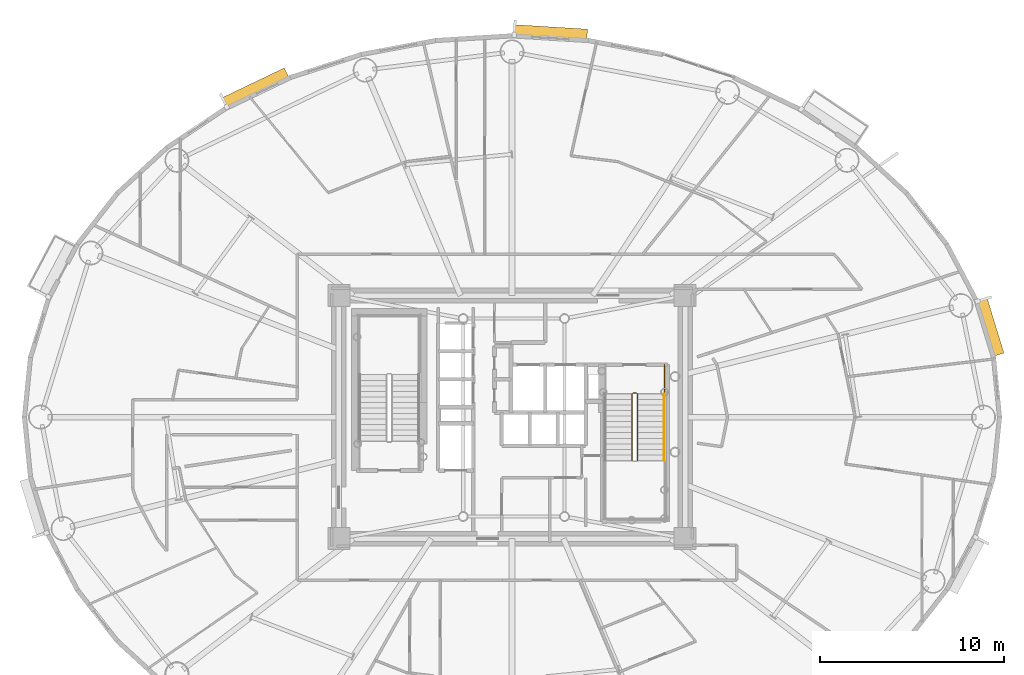
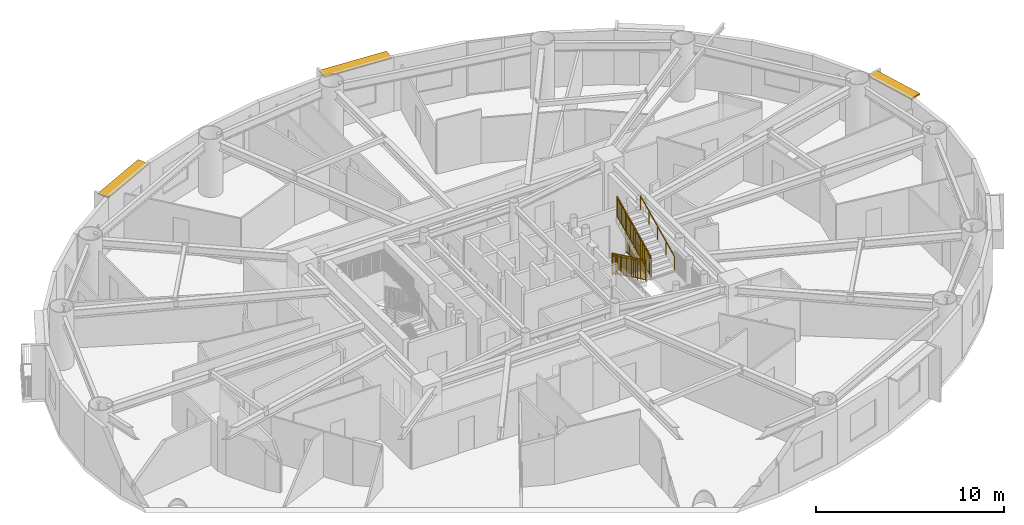
# One storey, part 20 of 21: 5 railings, 3 shading devices.
"""IFC4 building model written with IfcOpenShell, lengths in metres."""

from ifc_helpers import new_model, si_unit, direction, frame, origin, origin_2d, place, context, subcontext, project, spatial, rectangle, extrude, source, transform, mapped, material, layer, layer_set, type_object, element, save


model = new_model("IFC4")

# Units and contexts
model_context = context("Model", 3, precision=1e-05, world=origin(), true_north=direction((0.0, 1.0)))
body_context = subcontext(model_context, "Body", "Model", "MODEL_VIEW")
ifc_project = project(units=[si_unit("LENGTHUNIT", "METRE"), si_unit("AREAUNIT", "SQUARE_METRE"), si_unit("VOLUMEUNIT", "CUBIC_METRE"), si_unit("PLANEANGLEUNIT", "RADIAN"), si_unit("MASSUNIT", "GRAM", prefix="KILO")], contexts=[model_context])

# Site, building, storey
site_placement = place(None, origin())
site = spatial("IfcSite", under=ifc_project, at=site_placement, CompositionType="ELEMENT")
building_placement = place(site_placement, origin())
building = spatial("IfcBuilding", under=site, at=building_placement, Name="Linh Dai School and Residence Tower", CompositionType="ELEMENT")
storey_placement = place(building_placement, frame((0.0, 0.0, 156.14990234375)))
storey = spatial("IfcBuildingStorey", under=building, at=storey_placement, Name="L37", CompositionType="ELEMENT", Elevation=156.14990234375)

# Shading devices
ifc_material_1 = material(Name="Terracotta Ceramic Sunshade", Category="masonry")
ifc_layer = layer(ifc_material_1, 0.10009765625)
ifc_layer_set = layer_set([ifc_layer], Name="Terracotta Ceramic Sunshade")
shading_device_type = type_object("IfcShadingDeviceType", Name="SHD-TC-650", PredefinedType="USERDEFINED", material=ifc_layer_set)
shared_shape_1 = source(origin(), body_context, "Body", "SweptSolid", [
    extrude(rectangle(XDim=3.168212890625, YDim=0.64990234375, at=origin_2d()), origin(), (0.0, 0.0, 1.0), 0.10009765625),
])
shading_device_1_placement = place(storey_placement, frame((61.938720703125, 31.894775390625, 3.380126953125), z_axis=(0.0, 0.0, 1.0), x_axis=(0.293121969301, -0.956075055167, 0.0)))
element("IfcShadingDevice", 1, at=shading_device_1_placement, inside=storey, type_object=shading_device_type, Name="L37 Terracotta Horizontal Sunshade Band 02", ObjectType="SUNSHADE", PredefinedType="USERDEFINED", context=body_context, shape_type="MappedRepresentation", body=[
    mapped(shared_shape_1, transform((0.0, 0.0, 0.0), x_axis=(1.0, 0.0, 0.0), y_axis=(0.0, 1.0, 0.0), z_axis=(0.0, 0.0, 1.0), scale=1.0)),
])
shared_shape_2 = source(origin(), body_context, "Body", "SweptSolid", [
    extrude(rectangle(XDim=3.987548828125, YDim=0.64990234375, at=origin_2d()), origin(), (0.0, 0.0, 1.0), 0.10009765625),
])
shading_device_2_placement = place(storey_placement, frame((38.09033203125, 47.86181640625, 3.380126953125), z_axis=(0.0, 0.0, 1.0), x_axis=(0.99810632076, -0.061512376467, 0.0)))
element("IfcShadingDevice", 2, at=shading_device_2_placement, inside=storey, type_object=shading_device_type, Name="L37 Terracotta Horizontal Sunshade Band 10", ObjectType="SUNSHADE", PredefinedType="USERDEFINED", context=body_context, shape_type="MappedRepresentation", body=[
    mapped(shared_shape_2, transform((0.0, 0.0, 0.0), x_axis=(1.0, 0.0, 0.0), y_axis=(0.0, 1.0, 0.0), z_axis=(0.0, 0.0, 1.0), scale=1.0)),
])
shared_shape_3 = source(origin(), body_context, "Body", "SweptSolid", [
    extrude(rectangle(XDim=3.773193359375, YDim=0.64990234375, at=origin_2d()), origin(), (0.0, 0.0, 1.0), 0.10009765625),
])
shading_device_3_placement = place(storey_placement, frame((22.0751953125, 44.850341796875, 3.380126953125), z_axis=(0.0, 0.0, 1.0), x_axis=(0.901569306779, 0.432634701653, 0.0)))
element("IfcShadingDevice", 3, at=shading_device_3_placement, inside=storey, type_object=shading_device_type, Name="L37 Terracotta Horizontal Sunshade Band 14", ObjectType="SUNSHADE", PredefinedType="USERDEFINED", context=body_context, shape_type="MappedRepresentation", body=[
    mapped(shared_shape_3, transform((0.0, 0.0, 0.0), x_axis=(1.0, 0.0, 0.0), y_axis=(0.0, 1.0, 0.0), z_axis=(0.0, 0.0, 1.0), scale=1.0)),
])

# Railings
ifc_material_2 = material(Name="Structural Steel S355JR", Category="steel")
railing_type_1 = type_object("IfcRailingType", Name="RL-ST-GUARD-1400", PredefinedType="GUARDRAIL", material=ifc_material_2)
shared_shape_4 = source(origin(), body_context, "Body", "SweptSolid", [
    extrude(rectangle(XDim=0.048095703125, YDim=0.048095703125, at=origin_2d()), frame((0.0, 0.0, 1.3759765625), z_axis=(0.0, 0.901262522062, 0.433273431364), x_axis=(-1.0, 0.0, 0.0)), (0.0, 0.0, 1.0), 3.994384765625),
    extrude(rectangle(XDim=0.048095703125, YDim=0.048095703125, at=origin_2d()), frame((0.0, 0.0, 0.10009765625), z_axis=(0.0, 0.901262522062, 0.433273431364), x_axis=(-1.0, 0.0, 0.0)), (0.0, 0.0, 1.0), 3.994384765625),
    extrude(rectangle(XDim=0.030029296875, YDim=0.030029296875, at=origin_2d()), frame((0.0, 0.0, 1.239990234375), z_axis=(0.0, 0.901262522062, 0.433273431364), x_axis=(-1.0, 0.0, 0.0)), (0.0, 0.0, 1.0), 3.994384765625),
    extrude(rectangle(XDim=0.02001953125, YDim=0.02001953125, at=origin_2d()), frame((0.0, 0.087890625, 0.142333984375)), (0.0, 0.0, 1.0), 1.251708984375),
    extrude(rectangle(XDim=0.02001953125, YDim=0.02001953125, at=origin_2d()), frame((0.0, 0.175537109375, 0.1845703125)), (0.0, 0.0, 1.0), 1.251708984375),
    extrude(rectangle(XDim=0.02001953125, YDim=0.02001953125, at=origin_2d()), frame((0.0, 0.263427734375, 0.226806640625)), (0.0, 0.0, 1.0), 1.251708984375),
    extrude(rectangle(XDim=0.02001953125, YDim=0.02001953125, at=origin_2d()), frame((0.0, 0.351318359375, 0.26904296875)), (0.0, 0.0, 1.0), 1.251708984375),
    extrude(rectangle(XDim=0.02001953125, YDim=0.02001953125, at=origin_2d()), frame((0.0, 0.43896484375, 0.311279296875)), (0.0, 0.0, 1.0), 1.251708984375),
    extrude(rectangle(XDim=0.02001953125, YDim=0.02001953125, at=origin_2d()), frame((0.0, 0.52685546875, 0.353271484375)), (0.0, 0.0, 1.0), 1.251708984375),
    extrude(rectangle(XDim=0.02001953125, YDim=0.02001953125, at=origin_2d()), frame((0.0, 0.61474609375, 0.3955078125)), (0.0, 0.0, 1.0), 1.251708984375),
    extrude(rectangle(XDim=0.02001953125, YDim=0.02001953125, at=origin_2d()), frame((0.0, 0.702392578125, 0.437744140625)), (0.0, 0.0, 1.0), 1.251708984375),
    extrude(rectangle(XDim=0.02001953125, YDim=0.02001953125, at=origin_2d()), frame((0.0, 0.790283203125, 0.47998046875)), (0.0, 0.0, 1.0), 1.251708984375),
    extrude(rectangle(XDim=0.02001953125, YDim=0.02001953125, at=origin_2d()), frame((0.0, 0.9658203125, 0.564453125)), (0.0, 0.0, 1.0), 1.251708984375),
    extrude(rectangle(XDim=0.02001953125, YDim=0.02001953125, at=origin_2d()), frame((0.0, 1.0537109375, 0.606689453125)), (0.0, 0.0, 1.0), 1.251708984375),
    extrude(rectangle(XDim=0.02001953125, YDim=0.02001953125, at=origin_2d()), frame((0.0, 1.1416015625, 0.64892578125)), (0.0, 0.0, 1.0), 1.251708984375),
    extrude(rectangle(XDim=0.02001953125, YDim=0.02001953125, at=origin_2d()), frame((0.0, 1.229248046875, 0.691162109375)), (0.0, 0.0, 1.0), 1.251708984375),
    extrude(rectangle(XDim=0.02001953125, YDim=0.02001953125, at=origin_2d()), frame((0.0, 1.317138671875, 0.7333984375)), (0.0, 0.0, 1.0), 1.251708984375),
    extrude(rectangle(XDim=0.02001953125, YDim=0.02001953125, at=origin_2d()), frame((0.0, 1.405029296875, 0.775390625)), (0.0, 0.0, 1.0), 1.251708984375),
    extrude(rectangle(XDim=0.02001953125, YDim=0.02001953125, at=origin_2d()), frame((0.0, 1.49267578125, 0.817626953125)), (0.0, 0.0, 1.0), 1.251708984375),
    extrude(rectangle(XDim=0.02001953125, YDim=0.02001953125, at=origin_2d()), frame((0.0, 1.58056640625, 0.85986328125)), (0.0, 0.0, 1.0), 1.251708984375),
    extrude(rectangle(XDim=0.02001953125, YDim=0.02001953125, at=origin_2d()), frame((0.0, 1.66845703125, 0.902099609375)), (0.0, 0.0, 1.0), 1.251708984375),
    extrude(rectangle(XDim=0.02001953125, YDim=0.02001953125, at=origin_2d()), frame((0.0, 1.756103515625, 0.9443359375)), (0.0, 0.0, 1.0), 1.251708984375),
    extrude(rectangle(XDim=0.02001953125, YDim=0.02001953125, at=origin_2d()), frame((0.0, 1.843994140625, 0.986572265625)), (0.0, 0.0, 1.0), 1.251708984375),
    extrude(rectangle(XDim=0.02001953125, YDim=0.02001953125, at=origin_2d()), frame((0.0, 1.931640625, 1.02880859375)), (0.0, 0.0, 1.0), 1.251708984375),
    extrude(rectangle(XDim=0.02001953125, YDim=0.02001953125, at=origin_2d()), frame((0.0, 2.01953125, 1.071044921875)), (0.0, 0.0, 1.0), 1.251708984375),
    extrude(rectangle(XDim=0.02001953125, YDim=0.02001953125, at=origin_2d()), frame((0.0, 2.107421875, 1.11328125)), (0.0, 0.0, 1.0), 1.251708984375),
    extrude(rectangle(XDim=0.02001953125, YDim=0.02001953125, at=origin_2d()), frame((0.0, 2.195068359375, 1.155517578125)), (0.0, 0.0, 1.0), 1.251708984375),
    extrude(rectangle(XDim=0.02001953125, YDim=0.02001953125, at=origin_2d()), frame((0.0, 2.282958984375, 1.197509765625)), (0.0, 0.0, 1.0), 1.251708984375),
    extrude(rectangle(XDim=0.02001953125, YDim=0.02001953125, at=origin_2d()), frame((0.0, 2.370849609375, 1.23974609375)), (0.0, 0.0, 1.0), 1.251708984375),
    extrude(rectangle(XDim=0.02001953125, YDim=0.02001953125, at=origin_2d()), frame((0.0, 2.45849609375, 1.281982421875)), (0.0, 0.0, 1.0), 1.251708984375),
    extrude(rectangle(XDim=0.02001953125, YDim=0.02001953125, at=origin_2d()), frame((0.0, 2.54638671875, 1.32421875)), (0.0, 0.0, 1.0), 1.251708984375),
    extrude(rectangle(XDim=0.02001953125, YDim=0.02001953125, at=origin_2d()), frame((0.0, 2.63427734375, 1.366455078125)), (0.0, 0.0, 1.0), 1.251708984375),
    extrude(rectangle(XDim=0.02001953125, YDim=0.02001953125, at=origin_2d()), frame((0.0, 2.809814453125, 1.450927734375)), (0.0, 0.0, 1.0), 1.251708984375),
    extrude(rectangle(XDim=0.02001953125, YDim=0.02001953125, at=origin_2d()), frame((0.0, 2.897705078125, 1.4931640625)), (0.0, 0.0, 1.0), 1.251708984375),
    extrude(rectangle(XDim=0.02001953125, YDim=0.02001953125, at=origin_2d()), frame((0.0, 2.9853515625, 1.535400390625)), (0.0, 0.0, 1.0), 1.251708984375),
    extrude(rectangle(XDim=0.02001953125, YDim=0.02001953125, at=origin_2d()), frame((0.0, 3.0732421875, 1.57763671875)), (0.0, 0.0, 1.0), 1.251708984375),
    extrude(rectangle(XDim=0.02001953125, YDim=0.02001953125, at=origin_2d()), frame((0.0, 3.1611328125, 1.61962890625)), (0.0, 0.0, 1.0), 1.251708984375),
    extrude(rectangle(XDim=0.02001953125, YDim=0.02001953125, at=origin_2d()), frame((0.0, 3.248779296875, 1.661865234375)), (0.0, 0.0, 1.0), 1.251708984375),
    extrude(rectangle(XDim=0.02001953125, YDim=0.02001953125, at=origin_2d()), frame((0.0, 3.336669921875, 1.7041015625)), (0.0, 0.0, 1.0), 1.251708984375),
    extrude(rectangle(XDim=0.02001953125, YDim=0.02001953125, at=origin_2d()), frame((0.0, 3.424560546875, 1.746337890625)), (0.0, 0.0, 1.0), 1.251708984375),
    extrude(rectangle(XDim=0.02001953125, YDim=0.02001953125, at=origin_2d()), frame((0.0, 3.51220703125, 1.78857421875)), (0.0, 0.0, 1.0), 1.251708984375),
    extrude(rectangle(XDim=0.0419921875, YDim=0.0419921875, at=origin_2d()), origin(), (0.0, 0.0, 1.0), 1.3759765625),
    extrude(rectangle(XDim=0.0419921875, YDim=0.0419921875, at=origin_2d()), frame((0.0, 0.89990234375, 0.4326171875)), (0.0, 0.0, 1.0), 1.3759765625),
    extrude(rectangle(XDim=0.0419921875, YDim=0.0419921875, at=origin_2d()), frame((0.0, 1.800048828125, 0.865234375)), (0.0, 0.0, 1.0), 1.3759765625),
    extrude(rectangle(XDim=0.0419921875, YDim=0.0419921875, at=origin_2d()), frame((0.0, 2.7001953125, 1.298095703125)), (0.0, 0.0, 1.0), 1.3759765625),
    extrude(rectangle(XDim=0.0419921875, YDim=0.0419921875, at=origin_2d()), frame((0.0, 3.60009765625, 1.730712890625)), (0.0, 0.0, 1.0), 1.3759765625),
])
railing_1_placement = place(storey_placement, frame((42.820068359375, 24.64990234375, 2.019287109375)))
element("IfcRailing", 4, at=railing_1_placement, inside=storey, type_object=railing_type_1, Name="L37 ST2 stair guard 6", PredefinedType="GUARDRAIL", context=body_context, shape_type="MappedRepresentation", body=[
    mapped(shared_shape_4, transform((0.0, 0.0, 0.0), x_axis=(1.0, 0.0, 0.0), y_axis=(0.0, 1.0, 0.0), z_axis=(0.0, 0.0, 1.0), scale=1.0)),
])
shared_shape_5 = source(origin(), body_context, "Body", "SweptSolid", [
    extrude(rectangle(XDim=0.048095703125, YDim=0.048095703125, at=origin_2d()), frame((0.0, 0.0, 1.3759765625), z_axis=(0.0, -0.901262522062, 0.433273431364), x_axis=(1.0, 0.0, 0.0)), (0.0, 0.0, 1.0), 3.994384765625),
    extrude(rectangle(XDim=0.048095703125, YDim=0.048095703125, at=origin_2d()), frame((0.0, 0.0, 0.10009765625), z_axis=(0.0, -0.901262522062, 0.433273431364), x_axis=(1.0, 0.0, 0.0)), (0.0, 0.0, 1.0), 3.994384765625),
    extrude(rectangle(XDim=0.030029296875, YDim=0.030029296875, at=origin_2d()), frame((0.0, 0.0, 1.239990234375), z_axis=(0.0, -0.901262522062, 0.433273431364), x_axis=(1.0, 0.0, 0.0)), (0.0, 0.0, 1.0), 3.994384765625),
    extrude(rectangle(XDim=0.02001953125, YDim=0.02001953125, at=origin_2d()), frame((0.0, -0.087890625, 0.142333984375)), (0.0, 0.0, 1.0), 1.251708984375),
    extrude(rectangle(XDim=0.02001953125, YDim=0.02001953125, at=origin_2d()), frame((0.0, -0.175537109375, 0.1845703125)), (0.0, 0.0, 1.0), 1.251708984375),
    extrude(rectangle(XDim=0.02001953125, YDim=0.02001953125, at=origin_2d()), frame((0.0, -0.263427734375, 0.226806640625)), (0.0, 0.0, 1.0), 1.251708984375),
    extrude(rectangle(XDim=0.02001953125, YDim=0.02001953125, at=origin_2d()), frame((0.0, -0.351318359375, 0.26904296875)), (0.0, 0.0, 1.0), 1.251708984375),
    extrude(rectangle(XDim=0.02001953125, YDim=0.02001953125, at=origin_2d()), frame((0.0, -0.43896484375, 0.311279296875)), (0.0, 0.0, 1.0), 1.251708984375),
    extrude(rectangle(XDim=0.02001953125, YDim=0.02001953125, at=origin_2d()), frame((0.0, -0.52685546875, 0.353271484375)), (0.0, 0.0, 1.0), 1.251708984375),
    extrude(rectangle(XDim=0.02001953125, YDim=0.02001953125, at=origin_2d()), frame((0.0, -0.61474609375, 0.3955078125)), (0.0, 0.0, 1.0), 1.251708984375),
    extrude(rectangle(XDim=0.02001953125, YDim=0.02001953125, at=origin_2d()), frame((0.0, -0.702392578125, 0.437744140625)), (0.0, 0.0, 1.0), 1.251708984375),
    extrude(rectangle(XDim=0.02001953125, YDim=0.02001953125, at=origin_2d()), frame((0.0, -0.790283203125, 0.47998046875)), (0.0, 0.0, 1.0), 1.251708984375),
    extrude(rectangle(XDim=0.02001953125, YDim=0.02001953125, at=origin_2d()), frame((0.0, -0.9658203125, 0.564453125)), (0.0, 0.0, 1.0), 1.251708984375),
    extrude(rectangle(XDim=0.02001953125, YDim=0.02001953125, at=origin_2d()), frame((0.0, -1.0537109375, 0.606689453125)), (0.0, 0.0, 1.0), 1.251708984375),
    extrude(rectangle(XDim=0.02001953125, YDim=0.02001953125, at=origin_2d()), frame((0.0, -1.1416015625, 0.64892578125)), (0.0, 0.0, 1.0), 1.251708984375),
    extrude(rectangle(XDim=0.02001953125, YDim=0.02001953125, at=origin_2d()), frame((0.0, -1.229248046875, 0.691162109375)), (0.0, 0.0, 1.0), 1.251708984375),
    extrude(rectangle(XDim=0.02001953125, YDim=0.02001953125, at=origin_2d()), frame((0.0, -1.317138671875, 0.7333984375)), (0.0, 0.0, 1.0), 1.251708984375),
    extrude(rectangle(XDim=0.02001953125, YDim=0.02001953125, at=origin_2d()), frame((0.0, -1.405029296875, 0.775390625)), (0.0, 0.0, 1.0), 1.251708984375),
    extrude(rectangle(XDim=0.02001953125, YDim=0.02001953125, at=origin_2d()), frame((0.0, -1.49267578125, 0.817626953125)), (0.0, 0.0, 1.0), 1.251708984375),
    extrude(rectangle(XDim=0.02001953125, YDim=0.02001953125, at=origin_2d()), frame((0.0, -1.58056640625, 0.85986328125)), (0.0, 0.0, 1.0), 1.251708984375),
    extrude(rectangle(XDim=0.02001953125, YDim=0.02001953125, at=origin_2d()), frame((0.0, -1.66845703125, 0.902099609375)), (0.0, 0.0, 1.0), 1.251708984375),
    extrude(rectangle(XDim=0.02001953125, YDim=0.02001953125, at=origin_2d()), frame((0.0, -1.756103515625, 0.9443359375)), (0.0, 0.0, 1.0), 1.251708984375),
    extrude(rectangle(XDim=0.02001953125, YDim=0.02001953125, at=origin_2d()), frame((0.0, -1.843994140625, 0.986572265625)), (0.0, 0.0, 1.0), 1.251708984375),
    extrude(rectangle(XDim=0.02001953125, YDim=0.02001953125, at=origin_2d()), frame((0.0, -1.931640625, 1.02880859375)), (0.0, 0.0, 1.0), 1.251708984375),
    extrude(rectangle(XDim=0.02001953125, YDim=0.02001953125, at=origin_2d()), frame((0.0, -2.01953125, 1.071044921875)), (0.0, 0.0, 1.0), 1.251708984375),
    extrude(rectangle(XDim=0.02001953125, YDim=0.02001953125, at=origin_2d()), frame((0.0, -2.107421875, 1.11328125)), (0.0, 0.0, 1.0), 1.251708984375),
    extrude(rectangle(XDim=0.02001953125, YDim=0.02001953125, at=origin_2d()), frame((0.0, -2.195068359375, 1.155517578125)), (0.0, 0.0, 1.0), 1.251708984375),
    extrude(rectangle(XDim=0.02001953125, YDim=0.02001953125, at=origin_2d()), frame((0.0, -2.282958984375, 1.197509765625)), (0.0, 0.0, 1.0), 1.251708984375),
    extrude(rectangle(XDim=0.02001953125, YDim=0.02001953125, at=origin_2d()), frame((0.0, -2.370849609375, 1.23974609375)), (0.0, 0.0, 1.0), 1.251708984375),
    extrude(rectangle(XDim=0.02001953125, YDim=0.02001953125, at=origin_2d()), frame((0.0, -2.45849609375, 1.281982421875)), (0.0, 0.0, 1.0), 1.251708984375),
    extrude(rectangle(XDim=0.02001953125, YDim=0.02001953125, at=origin_2d()), frame((0.0, -2.54638671875, 1.32421875)), (0.0, 0.0, 1.0), 1.251708984375),
    extrude(rectangle(XDim=0.02001953125, YDim=0.02001953125, at=origin_2d()), frame((0.0, -2.63427734375, 1.366455078125)), (0.0, 0.0, 1.0), 1.251708984375),
    extrude(rectangle(XDim=0.02001953125, YDim=0.02001953125, at=origin_2d()), frame((0.0, -2.809814453125, 1.450927734375)), (0.0, 0.0, 1.0), 1.251708984375),
    extrude(rectangle(XDim=0.02001953125, YDim=0.02001953125, at=origin_2d()), frame((0.0, -2.897705078125, 1.4931640625)), (0.0, 0.0, 1.0), 1.251708984375),
    extrude(rectangle(XDim=0.02001953125, YDim=0.02001953125, at=origin_2d()), frame((0.0, -2.9853515625, 1.535400390625)), (0.0, 0.0, 1.0), 1.251708984375),
    extrude(rectangle(XDim=0.02001953125, YDim=0.02001953125, at=origin_2d()), frame((0.0, -3.0732421875, 1.57763671875)), (0.0, 0.0, 1.0), 1.251708984375),
    extrude(rectangle(XDim=0.02001953125, YDim=0.02001953125, at=origin_2d()), frame((0.0, -3.1611328125, 1.61962890625)), (0.0, 0.0, 1.0), 1.251708984375),
    extrude(rectangle(XDim=0.02001953125, YDim=0.02001953125, at=origin_2d()), frame((0.0, -3.248779296875, 1.661865234375)), (0.0, 0.0, 1.0), 1.251708984375),
    extrude(rectangle(XDim=0.02001953125, YDim=0.02001953125, at=origin_2d()), frame((0.0, -3.336669921875, 1.7041015625)), (0.0, 0.0, 1.0), 1.251708984375),
    extrude(rectangle(XDim=0.02001953125, YDim=0.02001953125, at=origin_2d()), frame((0.0, -3.424560546875, 1.746337890625)), (0.0, 0.0, 1.0), 1.251708984375),
    extrude(rectangle(XDim=0.02001953125, YDim=0.02001953125, at=origin_2d()), frame((0.0, -3.51220703125, 1.78857421875)), (0.0, 0.0, 1.0), 1.251708984375),
    extrude(rectangle(XDim=0.0419921875, YDim=0.0419921875, at=origin_2d()), origin(), (0.0, 0.0, 1.0), 1.3759765625),
    extrude(rectangle(XDim=0.0419921875, YDim=0.0419921875, at=origin_2d()), frame((0.0, -0.89990234375, 0.4326171875)), (0.0, 0.0, 1.0), 1.3759765625),
    extrude(rectangle(XDim=0.0419921875, YDim=0.0419921875, at=origin_2d()), frame((0.0, -1.800048828125, 0.865234375)), (0.0, 0.0, 1.0), 1.3759765625),
    extrude(rectangle(XDim=0.0419921875, YDim=0.0419921875, at=origin_2d()), frame((0.0, -2.7001953125, 1.298095703125)), (0.0, 0.0, 1.0), 1.3759765625),
    extrude(rectangle(XDim=0.0419921875, YDim=0.0419921875, at=origin_2d()), frame((0.0, -3.60009765625, 1.730712890625)), (0.0, 0.0, 1.0), 1.3759765625),
])
railing_2_placement = place(storey_placement, frame((42.52001953125, 28.25, 0.144287109375)))
element("IfcRailing", 5, at=railing_2_placement, inside=storey, type_object=railing_type_1, Name="L37 ST2 stair guard 1", PredefinedType="GUARDRAIL", context=body_context, shape_type="MappedRepresentation", body=[
    mapped(shared_shape_5, transform((0.0, 0.0, 0.0), x_axis=(1.0, 0.0, 0.0), y_axis=(0.0, 1.0, 0.0), z_axis=(0.0, 0.0, 1.0), scale=1.0)),
])
ifc_material_3 = material(Name="Brushed Stainless Steel Handrail", Category="steel")
railing_type_2 = type_object("IfcRailingType", Name="RL-ST-HANDRAIL-900", PredefinedType="HANDRAIL", material=ifc_material_3)
shared_shape_6 = source(origin(), body_context, "Body", "SweptSolid", [
    extrude(rectangle(XDim=0.048095703125, YDim=0.048095703125, at=origin_2d()), frame((0.0, 0.0, 0.8759765625), z_axis=(0.0, 0.901262522062, 0.433273431364), x_axis=(-1.0, 0.0, 0.0)), (0.0, 0.0, 1.0), 3.994384765625),
    extrude(rectangle(XDim=0.0419921875, YDim=0.0419921875, at=origin_2d()), origin(), (0.0, 0.0, 1.0), 0.8759765625),
    extrude(rectangle(XDim=0.0419921875, YDim=0.0419921875, at=origin_2d()), frame((0.0, 0.89990234375, 0.4326171875)), (0.0, 0.0, 1.0), 0.8759765625),
    extrude(rectangle(XDim=0.0419921875, YDim=0.0419921875, at=origin_2d()), frame((0.0, 1.800048828125, 0.865234375)), (0.0, 0.0, 1.0), 0.8759765625),
    extrude(rectangle(XDim=0.0419921875, YDim=0.0419921875, at=origin_2d()), frame((0.0, 2.7001953125, 1.298095703125)), (0.0, 0.0, 1.0), 0.8759765625),
    extrude(rectangle(XDim=0.0419921875, YDim=0.0419921875, at=origin_2d()), frame((0.0, 3.60009765625, 1.730712890625)), (0.0, 0.0, 1.0), 0.8759765625),
])
railing_3_placement = place(storey_placement, frame((44.27001953125, 24.64990234375, 2.019287109375)))
element("IfcRailing", 6, at=railing_3_placement, inside=storey, type_object=railing_type_2, Name="L37 ST2 stair handrail 2", PredefinedType="HANDRAIL", context=body_context, shape_type="MappedRepresentation", body=[
    mapped(shared_shape_6, transform((0.0, 0.0, 0.0), x_axis=(1.0, 0.0, 0.0), y_axis=(0.0, 1.0, 0.0), z_axis=(0.0, 0.0, 1.0), scale=1.0)),
])
shared_shape_7 = source(origin(), body_context, "Body", "SweptSolid", [
    extrude(rectangle(XDim=0.048095703125, YDim=0.048095703125, at=origin_2d()), frame((0.0, 0.0, 1.3759765625), z_axis=(1.0, 0.0, 0.0), x_axis=(0.0, 1.0, 0.0)), (0.0, 0.0, 1.0), 0.199951171875),
    extrude(rectangle(XDim=0.048095703125, YDim=0.048095703125, at=origin_2d()), frame((0.0, 0.0, 0.10009765625), z_axis=(1.0, 0.0, 0.0), x_axis=(0.0, 1.0, 0.0)), (0.0, 0.0, 1.0), 0.199951171875),
    extrude(rectangle(XDim=0.030029296875, YDim=0.030029296875, at=origin_2d()), frame((0.0, 0.0, 1.239990234375), z_axis=(1.0, 0.0, 0.0), x_axis=(0.0, 1.0, 0.0)), (0.0, 0.0, 1.0), 0.199951171875),
    extrude(rectangle(XDim=0.0419921875, YDim=0.0419921875, at=origin_2d()), origin(), (0.0, 0.0, 1.0), 1.3759765625),
    extrude(rectangle(XDim=0.0419921875, YDim=0.0419921875, at=origin_2d()), frame((0.199951171875, 0.0, 0.0)), (0.0, 0.0, 1.0), 1.3759765625),
])
railing_4_placement = place(storey_placement, frame((42.570068359375, 28.300048828125, 0.0)))
element("IfcRailing", 7, at=railing_4_placement, inside=storey, type_object=railing_type_1, Name="L37 ST2 stair guard 7", PredefinedType="GUARDRAIL", context=body_context, shape_type="MappedRepresentation", body=[
    mapped(shared_shape_7, transform((0.0, 0.0, 0.0), x_axis=(1.0, 0.0, 0.0), y_axis=(0.0, 1.0, 0.0), z_axis=(0.0, 0.0, 1.0), scale=1.0)),
])
shared_shape_8 = source(origin(), body_context, "Body", "SweptSolid", [
    extrude(rectangle(XDim=0.048095703125, YDim=0.048095703125, at=origin_2d()), frame((0.0, 0.0, 1.3759765625), z_axis=(0.0, -1.0, 0.0), x_axis=(1.0, 0.0, 0.0)), (0.0, 0.0, 1.0), 1.60009765625),
    extrude(rectangle(XDim=0.048095703125, YDim=0.048095703125, at=origin_2d()), frame((0.0, 0.0, 0.10009765625), z_axis=(0.0, -1.0, 0.0), x_axis=(1.0, 0.0, 0.0)), (0.0, 0.0, 1.0), 1.60009765625),
    extrude(rectangle(XDim=0.030029296875, YDim=0.030029296875, at=origin_2d()), frame((0.0, 0.0, 1.239990234375), z_axis=(0.0, -1.0, 0.0), x_axis=(1.0, 0.0, 0.0)), (0.0, 0.0, 1.0), 1.60009765625),
    extrude(rectangle(XDim=0.02001953125, YDim=0.02001953125, at=origin_2d()), frame((0.0, -0.09423828125, 0.10009765625)), (0.0, 0.0, 1.0), 1.251708984375),
    extrude(rectangle(XDim=0.02001953125, YDim=0.02001953125, at=origin_2d()), frame((0.0, -0.188232421875, 0.10009765625)), (0.0, 0.0, 1.0), 1.251708984375),
    extrude(rectangle(XDim=0.02001953125, YDim=0.02001953125, at=origin_2d()), frame((0.0, -0.282470703125, 0.10009765625)), (0.0, 0.0, 1.0), 1.251708984375),
    extrude(rectangle(XDim=0.02001953125, YDim=0.02001953125, at=origin_2d()), frame((0.0, -0.37646484375, 0.10009765625)), (0.0, 0.0, 1.0), 1.251708984375),
    extrude(rectangle(XDim=0.02001953125, YDim=0.02001953125, at=origin_2d()), frame((0.0, -0.470703125, 0.10009765625)), (0.0, 0.0, 1.0), 1.251708984375),
    extrude(rectangle(XDim=0.02001953125, YDim=0.02001953125, at=origin_2d()), frame((0.0, -0.564697265625, 0.10009765625)), (0.0, 0.0, 1.0), 1.251708984375),
    extrude(rectangle(XDim=0.02001953125, YDim=0.02001953125, at=origin_2d()), frame((0.0, -0.658935546875, 0.10009765625)), (0.0, 0.0, 1.0), 1.251708984375),
    extrude(rectangle(XDim=0.02001953125, YDim=0.02001953125, at=origin_2d()), frame((0.0, -0.7529296875, 0.10009765625)), (0.0, 0.0, 1.0), 1.251708984375),
    extrude(rectangle(XDim=0.02001953125, YDim=0.02001953125, at=origin_2d()), frame((0.0, -0.84716796875, 0.10009765625)), (0.0, 0.0, 1.0), 1.251708984375),
    extrude(rectangle(XDim=0.02001953125, YDim=0.02001953125, at=origin_2d()), frame((0.0, -0.941162109375, 0.10009765625)), (0.0, 0.0, 1.0), 1.251708984375),
    extrude(rectangle(XDim=0.02001953125, YDim=0.02001953125, at=origin_2d()), frame((0.0, -1.035400390625, 0.10009765625)), (0.0, 0.0, 1.0), 1.251708984375),
    extrude(rectangle(XDim=0.02001953125, YDim=0.02001953125, at=origin_2d()), frame((0.0, -1.12939453125, 0.10009765625)), (0.0, 0.0, 1.0), 1.251708984375),
    extrude(rectangle(XDim=0.02001953125, YDim=0.02001953125, at=origin_2d()), frame((0.0, -1.2236328125, 0.10009765625)), (0.0, 0.0, 1.0), 1.251708984375),
    extrude(rectangle(XDim=0.02001953125, YDim=0.02001953125, at=origin_2d()), frame((0.0, -1.317626953125, 0.10009765625)), (0.0, 0.0, 1.0), 1.251708984375),
    extrude(rectangle(XDim=0.02001953125, YDim=0.02001953125, at=origin_2d()), frame((0.0, -1.411865234375, 0.10009765625)), (0.0, 0.0, 1.0), 1.251708984375),
    extrude(rectangle(XDim=0.02001953125, YDim=0.02001953125, at=origin_2d()), frame((0.0, -1.505859375, 0.10009765625)), (0.0, 0.0, 1.0), 1.251708984375),
    extrude(rectangle(XDim=0.0419921875, YDim=0.0419921875, at=origin_2d()), origin(), (0.0, 0.0, 1.0), 1.3759765625),
    extrude(rectangle(XDim=0.0419921875, YDim=0.0419921875, at=origin_2d()), frame((0.0, -0.800048828125, 0.0)), (0.0, 0.0, 1.0), 1.3759765625),
    extrude(rectangle(XDim=0.0419921875, YDim=0.0419921875, at=origin_2d()), frame((0.0, -1.60009765625, 0.0)), (0.0, 0.0, 1.0), 1.3759765625),
])
railing_5_placement = place(storey_placement, frame((44.27001953125, 29.85009765625, 0.0)))
element("IfcRailing", 8, at=railing_5_placement, inside=storey, type_object=railing_type_1, Name="L37 ST2 stair guard 9", PredefinedType="GUARDRAIL", context=body_context, shape_type="MappedRepresentation", body=[
    mapped(shared_shape_8, transform((0.0, 0.0, 0.0), x_axis=(1.0, 0.0, 0.0), y_axis=(0.0, 1.0, 0.0), z_axis=(0.0, 0.0, 1.0), scale=1.0)),
])

save(model, "model.ifc")
